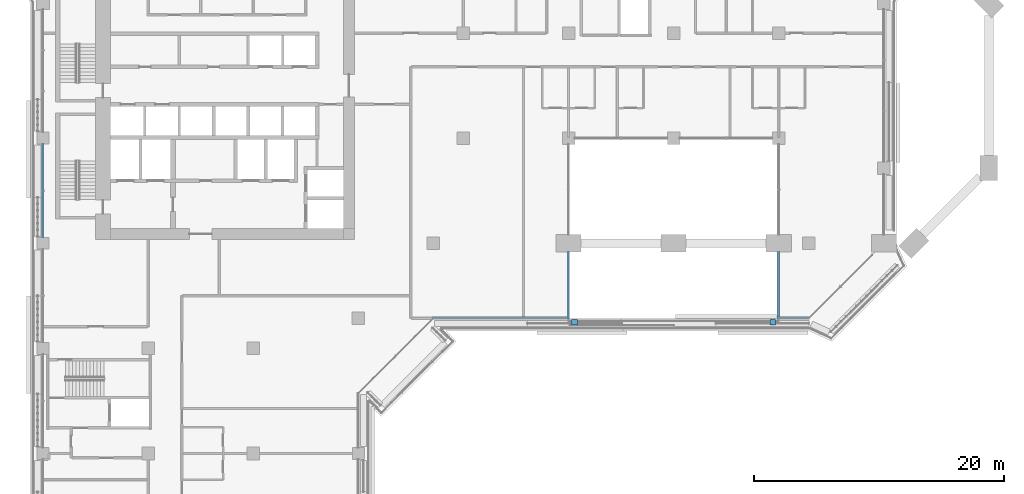
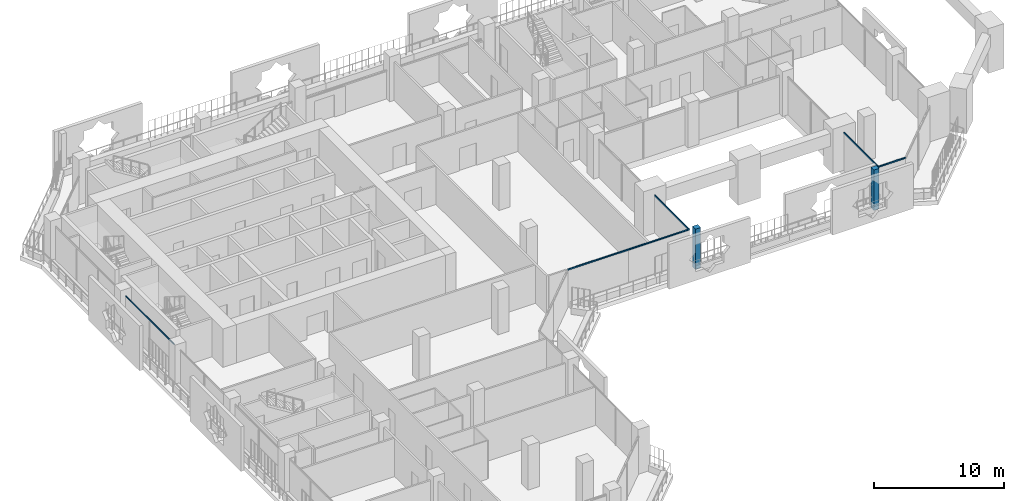
# One storey, part 4 of 23: 8 members, 6 elements without a shape of their own.
"""IFC4 building model written with IfcOpenShell, lengths in metres."""

from ifc_helpers import new_model, si_unit, direction, frame, origin, origin_2d, place, context, subcontext, project, spatial, rectangle, extrude, material, layer, layer_set, material_profile, profile_set, type_object, element, aggregate, save


model = new_model("IFC4")

# Units and contexts
model_context = context("Model", 3, precision=1e-05, world=origin(), true_north=direction((0.0, 1.0)))
body_context = subcontext(model_context, "Body", "Model", "MODEL_VIEW")
ifc_project = project(units=[si_unit("LENGTHUNIT", "METRE"), si_unit("AREAUNIT", "SQUARE_METRE"), si_unit("VOLUMEUNIT", "CUBIC_METRE"), si_unit("PLANEANGLEUNIT", "RADIAN"), si_unit("MASSUNIT", "GRAM", prefix="KILO")], contexts=[model_context])

# Site, building, storey
site_placement = place(None, origin())
site = spatial("IfcSite", under=ifc_project, at=site_placement, CompositionType="ELEMENT")
building_placement = place(site_placement, origin())
building = spatial("IfcBuilding", under=site, at=building_placement, Name="Kawkab Arch Medical Tower", CompositionType="ELEMENT")
storey_placement = place(building_placement, frame((0.0, 0.0, 166.800048828125)))
storey = spatial("IfcBuildingStorey", under=building, at=storey_placement, Name="L38", CompositionType="ELEMENT", Elevation=166.800048828125)

# Curtain wall, members
ifc_material_1 = material(Name="Bronze anodised aluminium curtain wall frame", Category="aluminium")
ifc_layer_1 = layer(ifc_material_1, 0.159912109375)
ifc_layer_set_1 = layer_set([ifc_layer_1], Name="Bronze anodised aluminium curtain wall frame")
curtain_wall_type_1 = type_object("IfcCurtainWallType", Name="CW1 ward curtain wall", PredefinedType="NOTDEFINED", material=ifc_layer_set_1)
placement = place(storey_placement, origin())
curtain_wall_1 = element("IfcCurtainWall", 1, at=placement, inside=storey, type_object=curtain_wall_type_1, Name="CW1 Ward curtain wall R01", PredefinedType="NOTDEFINED")
ifc_material_2 = material(Name="Bronze anodised aluminium curtain wall frame", Category="aluminium")
ifc_material_profile_1 = material_profile(ifc_material_2, rectangle(XDim=0.06005859375, YDim=0.1201171875, at=origin_2d()), Name="AL 60x120")
ifc_profile_set_1 = profile_set([ifc_material_profile_1], Name="Bronze anodised aluminium curtain wall frame")
member_type_1 = type_object("IfcMemberType", Name="CW1 transom 120 x 60", PredefinedType="USERDEFINED", material=ifc_profile_set_1)
member_1_placement = place(storey_placement, frame((31.199951171875, -31.199951171875, 3.5400390625), z_axis=(1.0, 0.0, 0.0), x_axis=(0.0, 1.0, 0.0)))
member_1 = element("IfcMember", 2, at=member_1_placement, type_object=member_type_1, Name="CW1 transom 1", ObjectType="TRANSOM", PredefinedType="USERDEFINED", context=body_context, shape_type="SweptSolid", body=[
    extrude(rectangle(XDim=0.06005859375, YDim=0.1201171875, at=origin_2d()), origin(), (0.0, 0.0, 1.0), 5.400146484375),
])
member_2_placement = place(storey_placement, frame((36.60009765625, -31.199951171875, 3.5400390625), z_axis=(1.0, 0.0, 0.0), x_axis=(0.0, 1.0, 0.0)))
member_2 = element("IfcMember", 3, at=member_2_placement, type_object=member_type_1, Name="CW1 transom 2", ObjectType="TRANSOM", PredefinedType="USERDEFINED", context=body_context, shape_type="SweptSolid", body=[
    extrude(rectangle(XDim=0.06005859375, YDim=0.1201171875, at=origin_2d()), origin(), (0.0, 0.0, 1.0), 5.39990234375),
])
aggregate(curtain_wall_1, [member_1, member_2])

# Curtain wall, member
curtain_wall_2 = element("IfcCurtainWall", 4, at=placement, inside=storey, type_object=curtain_wall_type_1, Name="CW1 Ward curtain wall R05", PredefinedType="NOTDEFINED")
member_3_placement = place(storey_placement, frame((58.800048828125, -31.199951171875, 3.5400390625), z_axis=(1.0, 0.0, 0.0), x_axis=(0.0, 1.0, 0.0)))
member_3 = element("IfcMember", 5, at=member_3_placement, type_object=member_type_1, Name="CW1 transom 1", ObjectType="TRANSOM", PredefinedType="USERDEFINED", context=body_context, shape_type="SweptSolid", body=[
    extrude(rectangle(XDim=0.06005859375, YDim=0.1201171875, at=origin_2d()), origin(), (0.0, 0.0, 1.0), 2.39990234375),
])
aggregate(curtain_wall_2, [member_3])

curtain_wall_3 = element("IfcCurtainWall", 6, at=placement, inside=storey, type_object=curtain_wall_type_1, Name="CW1 Ward curtain wall R11", PredefinedType="NOTDEFINED")
member_4_placement = place(storey_placement, frame((0.0, -17.27490234375, 3.5400390625), z_axis=(0.0, -1.0, 0.0), x_axis=(1.0, 0.0, 0.0)))
member_4 = element("IfcMember", 7, at=member_4_placement, type_object=member_type_1, Name="CW1 transom 2", ObjectType="TRANSOM", PredefinedType="USERDEFINED", context=body_context, shape_type="SweptSolid", body=[
    extrude(rectangle(XDim=0.06005859375, YDim=0.1201171875, at=origin_2d()), origin(), (0.0, 0.0, 1.0), 7.4501953125),
])
aggregate(curtain_wall_3, [member_4])

ifc_material_3 = material(Name="Bronze anodised aluminium curtain wall frame", Category="aluminium")
ifc_layer_2 = layer(ifc_material_3, 0.159912109375)
ifc_layer_set_2 = layer_set([ifc_layer_2], Name="Bronze anodised aluminium curtain wall frame")
curtain_wall_type_2 = type_object("IfcCurtainWallType", Name="CW3 sky garden curtain wall", PredefinedType="NOTDEFINED", material=ifc_layer_set_2)
curtain_wall_4 = element("IfcCurtainWall", 8, at=placement, inside=storey, type_object=curtain_wall_type_2, Name="CW3 Sky garden curtain wall R02", PredefinedType="NOTDEFINED")
ifc_material_4 = material(Name="Bronze anodised aluminium curtain wall frame", Category="aluminium")
ifc_material_profile_2 = material_profile(ifc_material_4, rectangle(XDim=0.070068359375, YDim=0.139892578125, at=origin_2d()), Name="AL 70x140")
ifc_profile_set_2 = profile_set([ifc_material_profile_2], Name="Bronze anodised aluminium curtain wall frame")
member_type_2 = type_object("IfcMemberType", Name="CW3 transom 140 x 70", PredefinedType="USERDEFINED", material=ifc_profile_set_2)
member_5_placement = place(storey_placement, frame((42.0, -31.199951171875, 3.530029296875), z_axis=(0.0, 1.0, 0.0), x_axis=(-1.0, 0.0, 0.0)))
member_5 = element("IfcMember", 9, at=member_5_placement, type_object=member_type_2, Name="CW3 transom 1", ObjectType="TRANSOM", PredefinedType="USERDEFINED", context=body_context, shape_type="SweptSolid", body=[
    extrude(rectangle(XDim=0.070068359375, YDim=0.139892578125, at=origin_2d()), origin(), (0.0, 0.0, 1.0), 5.300048828125),
])
aggregate(curtain_wall_4, [member_5])

curtain_wall_5 = element("IfcCurtainWall", 10, at=placement, inside=storey, type_object=curtain_wall_type_2, Name="CW3 Sky garden curtain wall R04", PredefinedType="NOTDEFINED")
member_6_placement = place(storey_placement, frame((58.800048828125, -25.89990234375, 3.530029296875), z_axis=(0.0, -1.0, 0.0), x_axis=(1.0, 0.0, 0.0)))
member_6 = element("IfcMember", 11, at=member_6_placement, type_object=member_type_2, Name="CW3 transom 2", ObjectType="TRANSOM", PredefinedType="USERDEFINED", context=body_context, shape_type="SweptSolid", body=[
    extrude(rectangle(XDim=0.070068359375, YDim=0.139892578125, at=origin_2d()), origin(), (0.0, 0.0, 1.0), 5.300048828125),
])
aggregate(curtain_wall_5, [member_6])

# Curtain wall, members
ifc_material_5 = material(Name="Bronze anodised aluminium climber frame, planted", Category="aluminium")
ifc_layer_3 = layer(ifc_material_5, 0.449951171875)
ifc_layer_set_3 = layer_set([ifc_layer_3], Name="Bronze anodised aluminium climber frame, planted")
curtain_wall_type_3 = type_object("IfcCurtainWallType", Name="Planted climber frame", PredefinedType="NOTDEFINED", material=ifc_layer_set_3)
curtain_wall_6 = element("IfcCurtainWall", 12, at=placement, inside=storey, type_object=curtain_wall_type_3, Name="Planted climber frame L38", PredefinedType="NOTDEFINED")
ifc_material_6 = material(Name="Bronze anodised aluminium climber frame, planted", Category="aluminium")
ifc_material_profile_3 = material_profile(ifc_material_6, rectangle(XDim=0.449951171875, YDim=0.449951171875, at=origin_2d()), Name="Post 450x450")
ifc_profile_set_3 = profile_set([ifc_material_profile_3], Name="Bronze anodised aluminium climber frame, planted")
member_type_3 = type_object("IfcMemberType", Name="Planted climber post 450 x 450", PredefinedType="MULLION", material=ifc_profile_set_3)
member_7_placement = place(storey_placement, frame((42.47998046875, -31.5, 0.0), z_axis=(0.0, 0.0, 1.0), x_axis=(1.0, 0.0, 0.0)))
member_7 = element("IfcMember", 13, at=member_7_placement, type_object=member_type_3, Name="Planted climber post L38.LOG-01-01.1", PredefinedType="MULLION", context=body_context, shape_type="SweptSolid", body=[
    extrude(rectangle(XDim=0.449951171875, YDim=0.449951171875, at=origin_2d()), origin(), (0.0, 0.0, 1.0), 3.800048828125),
])
member_8_placement = place(storey_placement, frame((58.320068359375, -31.5, 0.0), z_axis=(0.0, 0.0, 1.0), x_axis=(1.0, 0.0, 0.0)))
member_8 = element("IfcMember", 14, at=member_8_placement, type_object=member_type_3, Name="Planted climber post L38.LOG-01-01.2", PredefinedType="MULLION", context=body_context, shape_type="SweptSolid", body=[
    extrude(rectangle(XDim=0.449951171875, YDim=0.449951171875, at=origin_2d()), origin(), (0.0, 0.0, 1.0), 3.800048828125),
])
aggregate(curtain_wall_6, [member_7, member_8])

save(model, "model.ifc")
